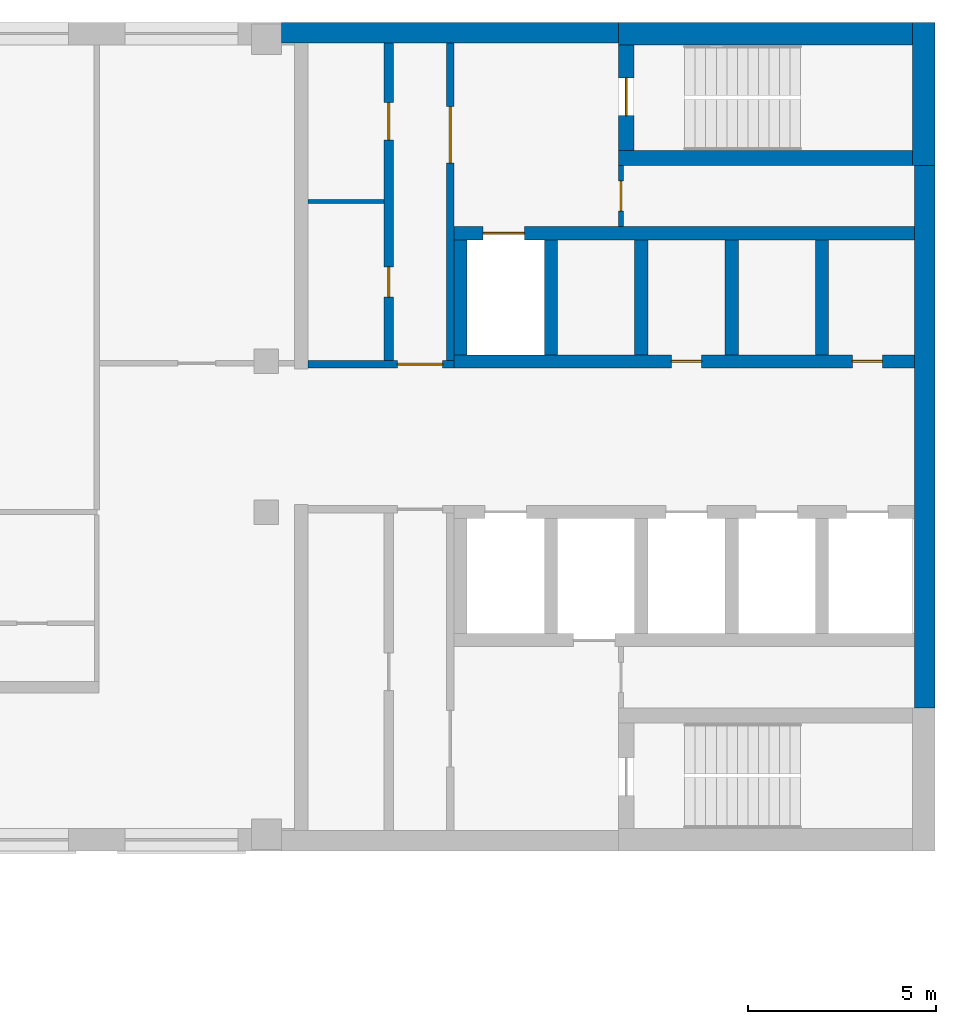
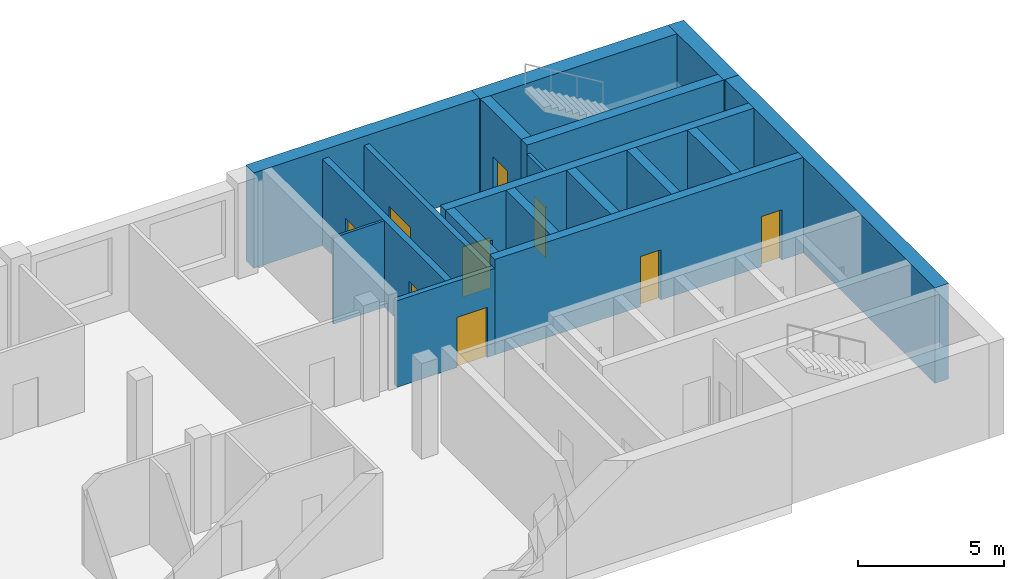
# One storey, part 6 of 8: 18 walls, 9 doors, 9 openings.
"""IFC4 building model written with IfcOpenShell, lengths in metres."""

from ifc_helpers import new_model, si_unit, direction, frame, frame_2d, origin, place, context, subcontext, project, spatial, rectangle, extrude, material, layer, layer_set, type_object, element, fill, save


model = new_model("IFC4")

# Units and contexts
model_context = context("Model", 3, precision=1e-05, world=origin(), true_north=direction((0.0, 1.0)))
body_context = subcontext(model_context, "Body", "Model", "MODEL_VIEW")
ifc_project = project(units=[si_unit("LENGTHUNIT", "METRE"), si_unit("AREAUNIT", "SQUARE_METRE"), si_unit("VOLUMEUNIT", "CUBIC_METRE"), si_unit("PLANEANGLEUNIT", "RADIAN"), si_unit("MASSUNIT", "GRAM", prefix="KILO")], contexts=[model_context])

# Site, building, storey
site_placement = place(None, origin())
site = spatial("IfcSite", under=ifc_project, at=site_placement, CompositionType="ELEMENT")
building_placement = place(site_placement, origin())
building = spatial("IfcBuilding", under=site, at=building_placement, Name="Skarvind Civic Tower", CompositionType="ELEMENT")
storey_placement = place(building_placement, frame((0.0, 0.0, 134.5)))
storey = spatial("IfcBuildingStorey", under=building, at=storey_placement, Name="L31", CompositionType="ELEMENT", Elevation=134.5)

# Wall, opening, door
ifc_material_1 = material(Name="Fire-rated masonry partition", Category="masonry")
ifc_layer_1 = layer(ifc_material_1, 0.199951171875)
ifc_layer_set_1 = layer_set([ifc_layer_1], Name="Core enclosure wall 200")
wall_type_1 = type_object("IfcWallType", Name="Core enclosure wall 200", PredefinedType="PARTITIONING", material=ifc_layer_set_1)
wall_1_placement = place(storey_placement, frame((91.35009765625, 129.925048828125, 0.0), z_axis=(0.0, 0.0, 1.0), x_axis=(1.0, 0.0, 0.0)))
wall_1 = element("IfcWall", 1, at=wall_1_placement, inside=storey, type_object=wall_type_1, Name="Core wall C1", PredefinedType="PARTITIONING", context=body_context, shape_type="SweptSolid", body=[
    extrude(rectangle(XDim=3.875, YDim=0.199951171875, at=frame_2d((1.9375, 0.0))), origin(), (0.0, 0.0, 1.0), 3.625),
])
opening_1_placement = place(wall_1_placement, frame((2.375, 0.0, 0.0)))
opening_1 = element("IfcOpeningElement", 2, at=opening_1_placement, cuts=wall_1, Name="Opening D-L31-C1-12", PredefinedType="OPENING", context=body_context, shape_type="SweptSolid", body=[
    extrude(rectangle(XDim=1.199951171875, YDim=2.10009765625, at=frame_2d((0.60009765625, 1.050048828125))), frame((0.0, 0.10986328125, 0.0), z_axis=(0.0, -1.0, 0.0), x_axis=(1.0, 0.0, 0.0)), (0.0, 0.0, 1.0), 0.219970703125),
])
ifc_material_2 = material(Name="Fire-rated steel door", Category="steel")
door_type_1 = type_object("IfcDoorType", Name="Core lobby door 1200", OperationType="NOTDEFINED", PredefinedType="DOOR", material=ifc_material_2)
door_1_placement = place(opening_1_placement, origin())
door_1 = element("IfcDoor", 3, at=door_1_placement, inside=storey, type_object=door_type_1, Name="Fire door", OperationType="DOUBLE_DOOR_SINGLE_SWING", OverallHeight=2.10009765625, OverallWidth=1.199951171875, PredefinedType="DOOR", context=body_context, shape_type="SweptSolid", body=[
    extrude(rectangle(XDim=1.199951171875, YDim=2.10009765625, at=frame_2d((0.60009765625, 1.050048828125))), frame((0.0, 0.02490234375, 0.0), z_axis=(0.0, -1.0, 0.0), x_axis=(1.0, 0.0, 0.0)), (0.0, 0.0, 1.0), 0.050048828125),
])
fill(opening_1, door_1)

wall_2_placement = place(storey_placement, frame((95.125, 130.02490234375, 0.0), z_axis=(0.0, 0.0, 1.0), x_axis=(0.0, 1.0, 0.0)))
wall_2 = element("IfcWall", 4, at=wall_2_placement, inside=storey, type_object=wall_type_1, Name="Core wall C1", PredefinedType="PARTITIONING", context=body_context, shape_type="SweptSolid", body=[
    extrude(rectangle(XDim=8.425048828125, YDim=0.199951171875, at=frame_2d((4.21240234375, 0.0))), origin(), (0.0, 0.0, 1.0), 3.625),
])
opening_2_placement = place(wall_2_placement, frame((5.237548828125, 0.0, 0.0)))
opening_2 = element("IfcOpeningElement", 5, at=opening_2_placement, cuts=wall_2, Name="Opening D-L31-C1-13", PredefinedType="OPENING", context=body_context, shape_type="SweptSolid", body=[
    extrude(rectangle(XDim=1.5, YDim=2.10009765625, at=frame_2d((0.75, 1.050048828125))), frame((0.0, 0.10986328125, 0.0), z_axis=(0.0, -1.0, 0.0), x_axis=(1.0, 0.0, 0.0)), (0.0, 0.0, 1.0), 0.219970703125),
])
door_type_2 = type_object("IfcDoorType", Name="Fire door 1500", OperationType="NOTDEFINED", PredefinedType="DOOR", material=ifc_material_2)
door_2_placement = place(opening_2_placement, origin())
door_2 = element("IfcDoor", 6, at=door_2_placement, inside=storey, type_object=door_type_2, Name="Fire door", OperationType="DOUBLE_DOOR_SINGLE_SWING", OverallHeight=2.10009765625, OverallWidth=1.5, PredefinedType="DOOR", context=body_context, shape_type="SweptSolid", body=[
    extrude(rectangle(XDim=1.5, YDim=2.10009765625, at=frame_2d((0.75, 1.050048828125))), frame((0.0, 0.02490234375, 0.0), z_axis=(0.0, -1.0, 0.0), x_axis=(1.0, 0.0, 0.0)), (0.0, 0.0, 1.0), 0.050048828125),
])
fill(opening_2, door_2)

# Wall
ifc_material_3 = material(Name="Fire-rated plasterboard partition")
ifc_layer_2 = layer(ifc_material_3, 0.10009765625)
ifc_layer_set_2 = layer_set([ifc_layer_2], Name="Core partition wall 100")
wall_type_2 = type_object("IfcWallType", Name="Core partition wall 100", PredefinedType="PARTITIONING", material=ifc_layer_set_2)
wall_3_placement = place(storey_placement, frame((91.35009765625, 134.239990234375, 0.0), z_axis=(0.0, 0.0, 1.0), x_axis=(1.0, 0.0, 0.0)))
element("IfcWall", 7, at=wall_3_placement, inside=storey, type_object=wall_type_2, Name="Core wall C1", PredefinedType="PARTITIONING", context=body_context, shape_type="SweptSolid", body=[
    extrude(rectangle(XDim=2.02490234375, YDim=0.10009765625, at=frame_2d((1.012451171875, 0.0))), origin(), (0.0, 0.0, 1.0), 3.625),
])

# Wall, openings, doors
ifc_material_4 = material(Name="Concrete C60", Category="concrete")
ifc_layer_3 = layer(ifc_material_4, 0.35009765625)
ifc_layer_set_3 = layer_set([ifc_layer_3], Name="Core wall 350 C60")
wall_type_3 = type_object("IfcWallType", Name="Core wall 350 C60", PredefinedType="SHEAR", material=ifc_layer_set_3)
wall_4_placement = place(storey_placement, frame((107.449951171875, 130.0, 0.0), z_axis=(0.0, 0.0, 1.0), x_axis=(-1.0, 0.0, 0.0)))
wall_4 = element("IfcWall", 8, at=wall_4_placement, inside=storey, type_object=wall_type_3, Name="Core wall C1 south lift row front L31", PredefinedType="SHEAR", context=body_context, shape_type="SweptSolid", body=[
    extrude(rectangle(XDim=12.224853515625, YDim=0.35009765625, at=frame_2d((6.1123046875, 0.0))), origin(), (0.0, 0.0, 1.0), 4.0),
])
opening_3_placement = place(wall_4_placement, frame((0.85009765625, 0.0, 0.0)))
opening_3 = element("IfcOpeningElement", 9, at=opening_3_placement, cuts=wall_4, Name="Opening D-L31-C1-05", PredefinedType="OPENING", context=body_context, shape_type="SweptSolid", body=[
    extrude(rectangle(XDim=0.800048828125, YDim=2.10009765625, at=frame_2d((0.39990234375, 1.050048828125))), frame((0.0, 0.18505859375, 0.0), z_axis=(0.0, -1.0, 0.0), x_axis=(1.0, 0.0, 0.0)), (0.0, 0.0, 1.0), 0.3701171875),
])
opening_4_placement = place(wall_4_placement, frame((5.64990234375, 0.0, 0.0)))
opening_4 = element("IfcOpeningElement", 10, at=opening_4_placement, cuts=wall_4, Name="Opening D-L31-C1-06", PredefinedType="OPENING", context=body_context, shape_type="SweptSolid", body=[
    extrude(rectangle(XDim=0.800048828125, YDim=2.10009765625, at=frame_2d((0.39990234375, 1.050048828125))), frame((0.0, 0.18505859375, 0.0), z_axis=(0.0, -1.0, 0.0), x_axis=(1.0, 0.0, 0.0)), (0.0, 0.0, 1.0), 0.3701171875),
])
door_type_3 = type_object("IfcDoorType", Name="Core riser door 800", OperationType="NOTDEFINED", PredefinedType="DOOR", material=ifc_material_2)
door_3_placement = place(opening_3_placement, origin())
door_3 = element("IfcDoor", 11, at=door_3_placement, inside=storey, type_object=door_type_3, Name="Riser door", OperationType="SINGLE_SWING_LEFT", OverallHeight=2.10009765625, OverallWidth=0.800048828125, PredefinedType="DOOR", context=body_context, shape_type="SweptSolid", body=[
    extrude(rectangle(XDim=0.800048828125, YDim=2.10009765625, at=frame_2d((0.39990234375, 1.050048828125))), frame((0.0, 0.02490234375, 0.0), z_axis=(0.0, -1.0, 0.0), x_axis=(1.0, 0.0, 0.0)), (0.0, 0.0, 1.0), 0.050048828125),
])
fill(opening_3, door_3)
door_4_placement = place(opening_4_placement, origin())
door_4 = element("IfcDoor", 12, at=door_4_placement, inside=storey, type_object=door_type_3, Name="Riser door", OperationType="SINGLE_SWING_RIGHT", OverallHeight=2.10009765625, OverallWidth=0.800048828125, PredefinedType="DOOR", context=body_context, shape_type="SweptSolid", body=[
    extrude(rectangle(XDim=0.800048828125, YDim=2.10009765625, at=frame_2d((0.39990234375, 1.050048828125))), frame((0.0, 0.02490234375, 0.0), z_axis=(0.0, -1.0, 0.0), x_axis=(1.0, 0.0, 0.0)), (0.0, 0.0, 1.0), 0.050048828125),
])
fill(opening_4, door_4)

# Wall, opening, door
wall_5_placement = place(storey_placement, frame((107.449951171875, 133.39990234375, 0.0), z_axis=(0.0, 0.0, 1.0), x_axis=(-1.0, 0.0, 0.0)))
wall_5 = element("IfcWall", 13, at=wall_5_placement, inside=storey, type_object=wall_type_3, Name="Core wall C1 south lift row back L31", PredefinedType="SHEAR", context=body_context, shape_type="SweptSolid", body=[
    extrude(rectangle(XDim=12.224853515625, YDim=0.35009765625, at=frame_2d((6.1123046875, 0.0))), origin(), (0.0, 0.0, 1.0), 4.0),
])
opening_5_placement = place(wall_5_placement, frame((10.35009765625, 0.0, 0.0)))
opening_5 = element("IfcOpeningElement", 14, at=opening_5_placement, cuts=wall_5, Name="Opening LD33110", PredefinedType="OPENING", context=body_context, shape_type="SweptSolid", body=[
    extrude(rectangle(XDim=1.10009765625, YDim=2.10009765625, at=frame_2d((0.550048828125, 1.050048828125))), frame((0.0, 0.18505859375, 0.0), z_axis=(0.0, -1.0, 0.0), x_axis=(1.0, 0.0, 0.0)), (0.0, 0.0, 1.0), 0.3701171875),
])
ifc_material_5 = material(Name="Stainless steel landing door", Category="steel")
door_type_4 = type_object("IfcDoorType", Name="Lift landing door 1100", OperationType="DOUBLE_DOOR_SLIDING", PredefinedType="DOOR", material=ifc_material_5)
door_5_placement = place(opening_5_placement, origin())
door_5 = element("IfcDoor", 15, at=door_5_placement, inside=storey, type_object=door_type_4, Name="Lift landing door", OperationType="DOUBLE_DOOR_SLIDING", OverallHeight=2.10009765625, OverallWidth=1.10009765625, PredefinedType="DOOR", context=body_context, shape_type="SweptSolid", body=[
    extrude(rectangle(XDim=1.10009765625, YDim=2.10009765625, at=frame_2d((0.550048828125, 1.050048828125))), frame((0.0, 0.02490234375, 0.0), z_axis=(0.0, -1.0, 0.0), x_axis=(1.0, 0.0, 0.0)), (0.0, 0.0, 1.0), 0.050048828125),
])
fill(opening_5, door_5)

# Walls
for number, where, z_axis, x_axis, name in (
    (16, (105.0, 133.22509765625, 0.0), (0.0, 0.0, 1.0), (0.0, -1.0, 0.0), "Core wall C1 south lift row division 1 L31"),
    (17, (102.60009765625, 133.22509765625, 0.0), (0.0, 0.0, 1.0), (0.0, -1.0, 0.0), "Core wall C1 south lift row division 2 L31"),
    (18, (100.199951171875, 133.22509765625, 0.0), (0.0, 0.0, 1.0), (0.0, -1.0, 0.0), "Core wall C1 south lift row division 3 L31"),
    (19, (97.800048828125, 133.22509765625, 0.0), (0.0, 0.0, 1.0), (0.0, -1.0, 0.0), "Core wall C1 south lift row division 4 L31"),
    (20, (95.39990234375, 133.22509765625, 0.0), (0.0, 0.0, 1.0), (0.0, -1.0, 0.0), "Core wall C1 south lift row division 5 L31"),
):
    element("IfcWall", number, at=place(storey_placement, frame(where, z_axis=z_axis, x_axis=x_axis)), inside=storey, type_object=wall_type_3, Name=name, PredefinedType="SHEAR", context=body_context, shape_type="SweptSolid", body=[
        extrude(rectangle(XDim=3.050048828125, YDim=0.35009765625, at=frame_2d((1.52490234375, 0.0))), origin(), (0.0, 0.0, 1.0), 4.0),
    ])
ifc_layer_4 = layer(ifc_material_4, 0.39990234375)
ifc_layer_set_4 = layer_set([ifc_layer_4], Name="Core wall 400 C60")
wall_type_4 = type_object("IfcWallType", Name="Core wall 400 C60", PredefinedType="SHEAR", material=ifc_layer_set_4)
wall_6_placement = place(storey_placement, frame((107.39990234375, 135.39990234375, 0.0), z_axis=(0.0, 0.0, 1.0), x_axis=(-1.0, 0.0, 0.0)))
element("IfcWall", 21, at=wall_6_placement, inside=storey, type_object=wall_type_4, Name="Core wall C1 south stair inner L31", PredefinedType="SHEAR", context=body_context, shape_type="SweptSolid", body=[
    extrude(rectangle(XDim=7.7998046875, YDim=0.39990234375, at=frame_2d((3.89990234375, 0.0))), origin(), (0.0, 0.0, 1.0), 4.0),
])

# Wall, opening, door
wall_7_placement = place(storey_placement, frame((99.800048828125, 138.39990234375, 0.0), z_axis=(0.0, 0.0, 1.0), x_axis=(0.0, -1.0, 0.0)))
wall_7 = element("IfcWall", 22, at=wall_7_placement, inside=storey, type_object=wall_type_4, Name="Core wall C1 south stair end L31", PredefinedType="SHEAR", context=body_context, shape_type="SweptSolid", body=[
    extrude(rectangle(XDim=2.7998046875, YDim=0.39990234375, at=frame_2d((1.39990234375, 0.0))), origin(), (0.0, 0.0, 1.0), 4.0),
])
opening_6_placement = place(wall_7_placement, frame((0.875, 0.0, 0.0)))
opening_6 = element("IfcOpeningElement", 23, at=opening_6_placement, cuts=wall_7, Name="Opening D-L31-C1-14", PredefinedType="OPENING", context=body_context, shape_type="SweptSolid", body=[
    extrude(rectangle(XDim=1.0, YDim=2.10009765625, at=frame_2d((0.5, 1.050048828125))), frame((0.0, 0.2099609375, 0.0), z_axis=(0.0, -1.0, 0.0), x_axis=(1.0, 0.0, 0.0)), (0.0, 0.0, 1.0), 0.419921875),
])
door_type_5 = type_object("IfcDoorType", Name="Fire door 1000", OperationType="NOTDEFINED", PredefinedType="DOOR", material=ifc_material_2)
door_6_placement = place(opening_6_placement, origin())
door_6 = element("IfcDoor", 24, at=door_6_placement, inside=storey, type_object=door_type_5, Name="Fire door", OperationType="SINGLE_SWING_RIGHT", OverallHeight=2.10009765625, OverallWidth=1.0, PredefinedType="DOOR", context=body_context, shape_type="SweptSolid", body=[
    extrude(rectangle(XDim=1.0, YDim=2.10009765625, at=frame_2d((0.5, 1.050048828125))), frame((0.0, 0.02490234375, 0.0), z_axis=(0.0, -1.0, 0.0), x_axis=(1.0, 0.0, 0.0)), (0.0, 0.0, 1.0), 0.050048828125),
])
fill(opening_6, door_6)

# Walls
ifc_layer_5 = layer(ifc_material_4, 0.550048828125)
ifc_layer_set_5 = layer_set([ifc_layer_5], Name="Core wall 550 C60")
wall_type_5 = type_object("IfcWallType", Name="Core wall 550 C60", PredefinedType="SHEAR", material=ifc_layer_set_5)
wall_8_placement = place(storey_placement, frame((107.72509765625, 135.199951171875, 0.0), z_axis=(0.0, 0.0, 1.0), x_axis=(0.0, -1.0, 0.0)))
element("IfcWall", 25, at=wall_8_placement, inside=storey, type_object=wall_type_5, Name="Core wall C1 tip between the stairs L31", PredefinedType="SHEAR", context=body_context, shape_type="SweptSolid", body=[
    extrude(rectangle(XDim=14.39990234375, YDim=0.550048828125, at=frame_2d((7.199951171875, 0.0))), origin(), (0.0, 0.0, 1.0), 4.0),
])
wall_9_placement = place(storey_placement, frame((99.60009765625, 138.72509765625, 0.0), z_axis=(0.0, 0.0, 1.0), x_axis=(-1.0, 0.0, 0.0)))
element("IfcWall", 26, at=wall_9_placement, inside=storey, type_object=wall_type_5, Name="Core wall C1 south side L31", PredefinedType="SHEAR", context=body_context, shape_type="SweptSolid", body=[
    extrude(rectangle(XDim=8.9501953125, YDim=0.550048828125, at=frame_2d((4.47509765625, 0.0))), origin(), (0.0, 0.0, 1.0), 4.0),
])
ifc_layer_6 = layer(ifc_material_4, 0.60009765625)
ifc_layer_set_6 = layer_set([ifc_layer_6], Name="Core wall 600 C60")
wall_type_6 = type_object("IfcWallType", Name="Core wall 600 C60", PredefinedType="SHEAR", material=ifc_layer_set_6)
wall_10_placement = place(storey_placement, frame((107.699951171875, 139.0, 0.0), z_axis=(0.0, 0.0, 1.0), x_axis=(0.0, -1.0, 0.0)))
element("IfcWall", 27, at=wall_10_placement, inside=storey, type_object=wall_type_6, Name="Core wall C1 tip at the south stair L31", PredefinedType="SHEAR", context=body_context, shape_type="SweptSolid", body=[
    extrude(rectangle(XDim=3.800048828125, YDim=0.60009765625, at=frame_2d((1.89990234375, 0.0))), origin(), (0.0, 0.0, 1.0), 4.0),
])
wall_11_placement = place(storey_placement, frame((107.39990234375, 138.699951171875, 0.0), z_axis=(0.0, 0.0, 1.0), x_axis=(-1.0, 0.0, 0.0)))
element("IfcWall", 28, at=wall_11_placement, inside=storey, type_object=wall_type_6, Name="Core wall C1 south side at the stair L31", PredefinedType="SHEAR", context=body_context, shape_type="SweptSolid", body=[
    extrude(rectangle(XDim=7.7998046875, YDim=0.60009765625, at=frame_2d((3.89990234375, 0.0))), origin(), (0.0, 0.0, 1.0), 4.0),
])

# Wall, opening, door
ifc_layer_7 = layer(ifc_material_1, 0.125)
ifc_layer_set_7 = layer_set([ifc_layer_7], Name="Riser wall 125")
wall_type_7 = type_object("IfcWallType", Name="Riser wall 125", PredefinedType="PARTITIONING", material=ifc_layer_set_7)
wall_12_placement = place(storey_placement, frame((99.66259765625, 133.574951171875, 0.0), z_axis=(0.0, 0.0, 1.0), x_axis=(0.0, 1.0, 0.0)))
wall_12 = element("IfcWall", 29, at=wall_12_placement, inside=storey, type_object=wall_type_7, Name="Core wall C1", PredefinedType="PARTITIONING", context=body_context, shape_type="SweptSolid", body=[
    extrude(rectangle(XDim=1.625, YDim=0.125, at=frame_2d((0.8125, 0.0))), origin(), (0.0, 0.0, 1.0), 3.625),
])
opening_7_placement = place(wall_12_placement, frame((0.41259765625, 0.0, 0.0)))
opening_7 = element("IfcOpeningElement", 30, at=opening_7_placement, cuts=wall_12, Name="Opening D-L31-C1-15", PredefinedType="OPENING", context=body_context, shape_type="SweptSolid", body=[
    extrude(rectangle(XDim=0.800048828125, YDim=2.10009765625, at=frame_2d((0.39990234375, 1.050048828125))), frame((0.0, 0.072509765625, 0.0), z_axis=(0.0, -1.0, 0.0), x_axis=(1.0, 0.0, 0.0)), (0.0, 0.0, 1.0), 0.14501953125),
])
door_7_placement = place(opening_7_placement, origin())
door_7 = element("IfcDoor", 31, at=door_7_placement, inside=storey, type_object=door_type_3, Name="Riser door", OperationType="SINGLE_SWING_LEFT", OverallHeight=2.10009765625, OverallWidth=0.800048828125, PredefinedType="DOOR", context=body_context, shape_type="SweptSolid", body=[
    extrude(rectangle(XDim=0.800048828125, YDim=2.10009765625, at=frame_2d((0.39990234375, 1.050048828125))), frame((0.0, 0.02490234375, 0.0), z_axis=(0.0, -1.0, 0.0), x_axis=(1.0, 0.0, 0.0)), (0.0, 0.0, 1.0), 0.050048828125),
])
fill(opening_7, door_7)

# Wall, openings, doors
ifc_layer_8 = layer(ifc_material_1, 0.25)
ifc_layer_set_8 = layer_set([ifc_layer_8], Name="Service block wall 250")
wall_type_8 = type_object("IfcWallType", Name="Service block wall 250", PredefinedType="PARTITIONING", material=ifc_layer_set_8)
wall_13_placement = place(storey_placement, frame((93.5, 130.02490234375, 0.0), z_axis=(0.0, 0.0, 1.0), x_axis=(0.0, 1.0, 0.0)))
wall_13 = element("IfcWall", 32, at=wall_13_placement, inside=storey, type_object=wall_type_8, Name="Core wall C1", PredefinedType="PARTITIONING", context=body_context, shape_type="SweptSolid", body=[
    extrude(rectangle(XDim=8.425048828125, YDim=0.25, at=frame_2d((4.21240234375, 0.0))), origin(), (0.0, 0.0, 1.0), 3.625),
])
opening_8_placement = place(wall_13_placement, frame((1.6826171875, 0.0, 0.0)))
opening_8 = element("IfcOpeningElement", 33, at=opening_8_placement, cuts=wall_13, Name="Opening D-L31-C1-16", PredefinedType="OPENING", context=body_context, shape_type="SweptSolid", body=[
    extrude(rectangle(XDim=0.800048828125, YDim=2.10009765625, at=frame_2d((0.39990234375, 1.050048828125))), frame((0.0, 0.135009765625, 0.0), z_axis=(0.0, -1.0, 0.0), x_axis=(1.0, 0.0, 0.0)), (0.0, 0.0, 1.0), 0.27001953125),
])
opening_9_placement = place(wall_13_placement, frame((5.844970703125, 0.0, 0.0)))
opening_9 = element("IfcOpeningElement", 34, at=opening_9_placement, cuts=wall_13, Name="Opening D-L31-C1-17", PredefinedType="OPENING", context=body_context, shape_type="SweptSolid", body=[
    extrude(rectangle(XDim=1.0, YDim=2.10009765625, at=frame_2d((0.5, 1.050048828125))), frame((0.0, 0.135009765625, 0.0), z_axis=(0.0, -1.0, 0.0), x_axis=(1.0, 0.0, 0.0)), (0.0, 0.0, 1.0), 0.27001953125),
])
door_8_placement = place(opening_8_placement, origin())
door_8 = element("IfcDoor", 35, at=door_8_placement, inside=storey, type_object=door_type_3, Name="Riser door", OperationType="SINGLE_SWING_RIGHT", OverallHeight=2.10009765625, OverallWidth=0.800048828125, PredefinedType="DOOR", context=body_context, shape_type="SweptSolid", body=[
    extrude(rectangle(XDim=0.800048828125, YDim=2.10009765625, at=frame_2d((0.39990234375, 1.050048828125))), frame((0.0, 0.02490234375, 0.0), z_axis=(0.0, -1.0, 0.0), x_axis=(1.0, 0.0, 0.0)), (0.0, 0.0, 1.0), 0.050048828125),
])
fill(opening_8, door_8)
door_9_placement = place(opening_9_placement, origin())
door_9 = element("IfcDoor", 36, at=door_9_placement, inside=storey, type_object=door_type_5, Name="Fire door", OperationType="SINGLE_SWING_LEFT", OverallHeight=2.10009765625, OverallWidth=1.0, PredefinedType="DOOR", context=body_context, shape_type="SweptSolid", body=[
    extrude(rectangle(XDim=1.0, YDim=2.10009765625, at=frame_2d((0.5, 1.050048828125))), frame((0.0, 0.02490234375, 0.0), z_axis=(0.0, -1.0, 0.0), x_axis=(1.0, 0.0, 0.0)), (0.0, 0.0, 1.0), 0.050048828125),
])
fill(opening_9, door_9)

save(model, "model.ifc")
